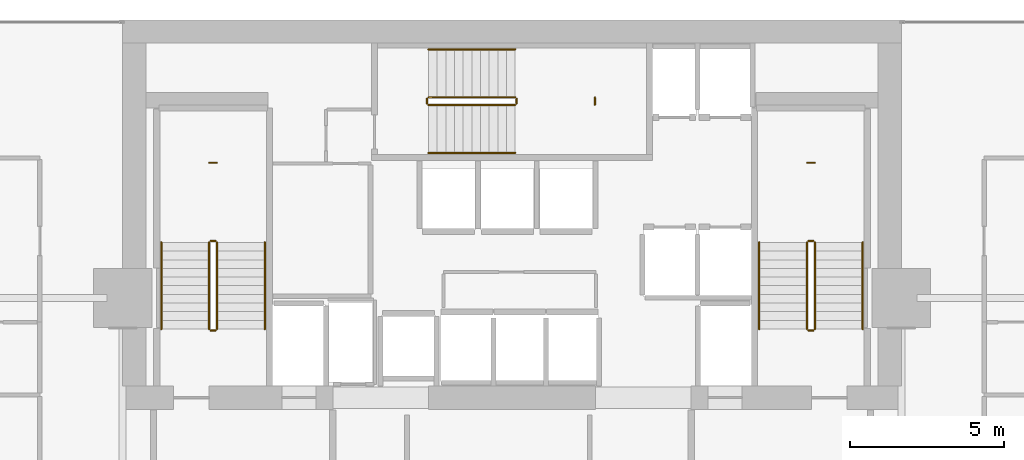
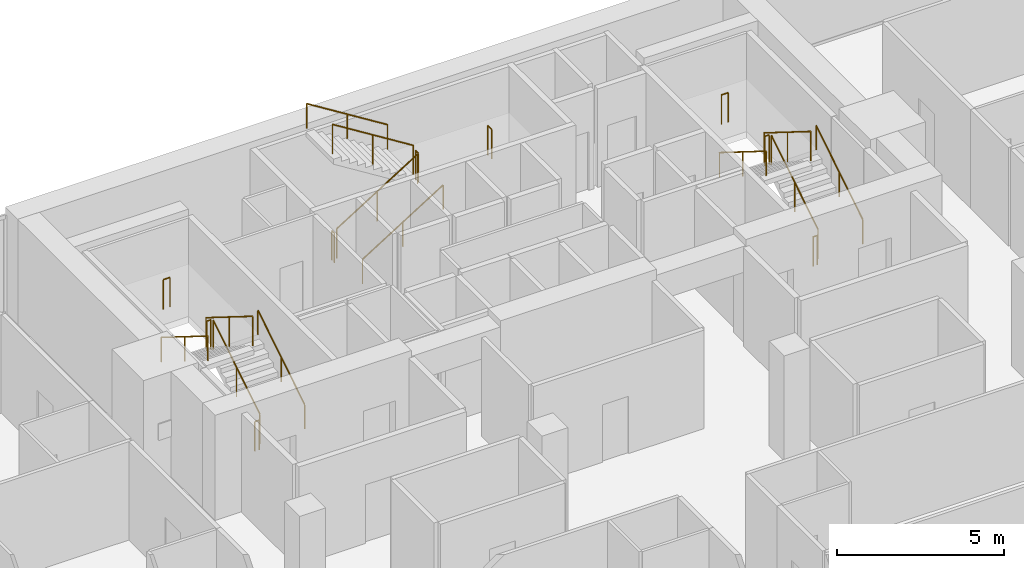
# One storey, part 33 of 33: 21 railings.
"""IFC4 building model written with IfcOpenShell, lengths in metres."""

from ifc_helpers import new_model, si_unit, direction, frame, origin, origin_2d, place, context, subcontext, project, spatial, circle, extrude, material, type_object, element, save


model = new_model("IFC4")

# Units and contexts
model_context = context("Model", 3, precision=1e-05, world=origin(), true_north=direction((0.0, 1.0)))
body_context = subcontext(model_context, "Body", "Model", "MODEL_VIEW")
ifc_project = project(units=[si_unit("LENGTHUNIT", "METRE"), si_unit("AREAUNIT", "SQUARE_METRE"), si_unit("VOLUMEUNIT", "CUBIC_METRE"), si_unit("PLANEANGLEUNIT", "RADIAN"), si_unit("MASSUNIT", "GRAM", prefix="KILO")], contexts=[model_context])

# Site, building, storey
site_placement = place(None, origin())
site = spatial("IfcSite", under=ifc_project, at=site_placement, CompositionType="ELEMENT")
building_placement = place(site_placement, origin())
building = spatial("IfcBuilding", under=site, at=building_placement, Name="Maruvema Waterfront Hotel and Observation Tower", CompositionType="ELEMENT")
storey_placement = place(building_placement, frame((0.0, 0.0, 138.949951171875)))
storey = spatial("IfcBuildingStorey", under=building, at=storey_placement, Name="L33", CompositionType="ELEMENT", Elevation=138.949951171875)

# Railings
ifc_material_1 = material(Name="Brushed stainless steel Grade 316", Category="steel")
railing_type_1 = type_object("IfcRailingType", Name="Ramp Continuous Wall Handrail 920 mm", PredefinedType="HANDRAIL", material=ifc_material_1)
railing_1_placement = place(storey_placement, frame((29.800048828125, 44.0, 0.175048828125)))
element("IfcRailing", 1, at=railing_1_placement, inside=storey, type_object=railing_type_1, Name="L33 ST-01 stair handrail 1", PredefinedType="HANDRAIL", context=body_context, shape_type="SweptSolid", body=[
    extrude(circle(Radius=0.02392578125, at=origin_2d()), frame((0.0, 0.0, 0.89599609375), z_axis=(0.0, 0.848002457836, 0.529992293815), x_axis=(-1.0, 0.0, 0.0)), (0.0, 0.0, 1.0), 3.302001953125),
    extrude(circle(Radius=0.02099609375, at=origin_2d()), origin(), (0.0, 0.0, 1.0), 0.871826171875),
    extrude(circle(Radius=0.02099609375, at=origin_2d()), frame((0.0, 1.39990234375, 0.875)), (0.0, 0.0, 1.0), 0.871826171875),
    extrude(circle(Radius=0.02099609375, at=origin_2d()), frame((0.0, 2.800048828125, 1.75)), (0.0, 0.0, 1.0), 0.871826171875),
])
railing_2_placement = place(storey_placement, frame((26.449951171875, 46.800048828125, 2.10009765625)))
element("IfcRailing", 2, at=railing_2_placement, inside=storey, type_object=railing_type_1, Name="L33 ST-01 stair handrail 2", PredefinedType="HANDRAIL", context=body_context, shape_type="SweptSolid", body=[
    extrude(circle(Radius=0.02392578125, at=origin_2d()), frame((0.0, 0.0, 0.89599609375), z_axis=(0.0, -0.848002457836, 0.529992293815), x_axis=(1.0, 0.0, 0.0)), (0.0, 0.0, 1.0), 3.302001953125),
    extrude(circle(Radius=0.02099609375, at=origin_2d()), origin(), (0.0, 0.0, 1.0), 0.871826171875),
    extrude(circle(Radius=0.02099609375, at=origin_2d()), frame((0.0, -1.39990234375, 0.875)), (0.0, 0.0, 1.0), 0.871826171875),
    extrude(circle(Radius=0.02099609375, at=origin_2d()), frame((0.0, -2.800048828125, 1.75)), (0.0, 0.0, 1.0), 0.871826171875),
])
railing_3_placement = place(storey_placement, frame((35.10009765625, 49.699951171875, 0.175048828125)))
element("IfcRailing", 3, at=railing_3_placement, inside=storey, type_object=railing_type_1, Name="L33 ST-02 stair handrail 1", PredefinedType="HANDRAIL", context=body_context, shape_type="SweptSolid", body=[
    extrude(circle(Radius=0.02392578125, at=origin_2d()), frame((0.0, 0.0, 0.89599609375), z_axis=(0.847981687118, 0.0, 0.530025526095), x_axis=(0.0, 1.0, 0.0)), (0.0, 0.0, 1.0), 3.3017578125),
    extrude(circle(Radius=0.02099609375, at=origin_2d()), origin(), (0.0, 0.0, 1.0), 0.871826171875),
    extrude(circle(Radius=0.02099609375, at=origin_2d()), frame((1.39990234375, 0.0, 0.875)), (0.0, 0.0, 1.0), 0.871826171875),
    extrude(circle(Radius=0.02099609375, at=origin_2d()), frame((2.7998046875, 0.0, 1.75)), (0.0, 0.0, 1.0), 0.871826171875),
])
railing_4_placement = place(storey_placement, frame((37.89990234375, 53.050048828125, 2.10009765625)))
element("IfcRailing", 4, at=railing_4_placement, inside=storey, type_object=railing_type_1, Name="L33 ST-02 stair handrail 2", PredefinedType="HANDRAIL", context=body_context, shape_type="SweptSolid", body=[
    extrude(circle(Radius=0.02392578125, at=origin_2d()), frame((0.0, 0.0, 0.89599609375), z_axis=(-0.847981687118, 0.0, 0.530025526095), x_axis=(0.0, -1.0, 0.0)), (0.0, 0.0, 1.0), 3.3017578125),
    extrude(circle(Radius=0.02099609375, at=origin_2d()), origin(), (0.0, 0.0, 1.0), 0.871826171875),
    extrude(circle(Radius=0.02099609375, at=origin_2d()), frame((-1.39990234375, 0.0, 0.875)), (0.0, 0.0, 1.0), 0.871826171875),
    extrude(circle(Radius=0.02099609375, at=origin_2d()), frame((-2.7998046875, 0.0, 1.75)), (0.0, 0.0, 1.0), 0.871826171875),
])
railing_5_placement = place(storey_placement, frame((49.14990234375, 44.0, 0.175048828125)))
element("IfcRailing", 5, at=railing_5_placement, inside=storey, type_object=railing_type_1, Name="L33 ST-03 stair handrail 1", PredefinedType="HANDRAIL", context=body_context, shape_type="SweptSolid", body=[
    extrude(circle(Radius=0.02392578125, at=origin_2d()), frame((0.0, 0.0, 0.89599609375), z_axis=(0.0, 0.848002457836, 0.529992293815), x_axis=(-1.0, 0.0, 0.0)), (0.0, 0.0, 1.0), 3.302001953125),
    extrude(circle(Radius=0.02099609375, at=origin_2d()), origin(), (0.0, 0.0, 1.0), 0.871826171875),
    extrude(circle(Radius=0.02099609375, at=origin_2d()), frame((0.0, 1.39990234375, 0.875)), (0.0, 0.0, 1.0), 0.871826171875),
    extrude(circle(Radius=0.02099609375, at=origin_2d()), frame((0.0, 2.800048828125, 1.75)), (0.0, 0.0, 1.0), 0.871826171875),
])
railing_6_placement = place(storey_placement, frame((45.800048828125, 46.800048828125, 2.10009765625)))
element("IfcRailing", 6, at=railing_6_placement, inside=storey, type_object=railing_type_1, Name="L33 ST-03 stair handrail 2", PredefinedType="HANDRAIL", context=body_context, shape_type="SweptSolid", body=[
    extrude(circle(Radius=0.02392578125, at=origin_2d()), frame((0.0, 0.0, 0.89599609375), z_axis=(0.0, -0.848002457836, 0.529992293815), x_axis=(1.0, 0.0, 0.0)), (0.0, 0.0, 1.0), 3.302001953125),
    extrude(circle(Radius=0.02099609375, at=origin_2d()), origin(), (0.0, 0.0, 1.0), 0.871826171875),
    extrude(circle(Radius=0.02099609375, at=origin_2d()), frame((0.0, -1.39990234375, 0.875)), (0.0, 0.0, 1.0), 0.871826171875),
    extrude(circle(Radius=0.02099609375, at=origin_2d()), frame((0.0, -2.800048828125, 1.75)), (0.0, 0.0, 1.0), 0.871826171875),
])
ifc_material_2 = material(Name="Brushed stainless steel Grade 316", Category="steel")
railing_type_2 = type_object("IfcRailingType", Name="Ramp and Terrace Guard Balustrade 1100 mm", PredefinedType="BALUSTRADE", material=ifc_material_2)
railing_7_placement = place(storey_placement, frame((28.25, 44.0, 0.175048828125)))
element("IfcRailing", 7, at=railing_7_placement, inside=storey, type_object=railing_type_2, Name="L33 ST-01 stair guard 1", PredefinedType="BALUSTRADE", context=body_context, shape_type="SweptSolid", body=[
    extrude(circle(Radius=0.02392578125, at=origin_2d()), frame((0.0, 0.0, 1.076171875), z_axis=(0.0, 0.848002457836, 0.529992293815), x_axis=(-1.0, 0.0, 0.0)), (0.0, 0.0, 1.0), 3.302001953125),
    extrude(circle(Radius=0.02099609375, at=origin_2d()), origin(), (0.0, 0.0, 1.0), 1.052001953125),
    extrude(circle(Radius=0.02099609375, at=origin_2d()), frame((0.0, 1.39990234375, 0.875)), (0.0, 0.0, 1.0), 1.052001953125),
    extrude(circle(Radius=0.02099609375, at=origin_2d()), frame((0.0, 2.800048828125, 1.75)), (0.0, 0.0, 1.0), 1.052001953125),
])
railing_8_placement = place(storey_placement, frame((28.199951171875, 46.85009765625, 1.925048828125)))
element("IfcRailing", 8, at=railing_8_placement, inside=storey, type_object=railing_type_2, Name="L33 ST-01 stair guard 2", PredefinedType="BALUSTRADE", context=body_context, shape_type="SweptSolid", body=[
    extrude(circle(Radius=0.02392578125, at=origin_2d()), frame((0.0, 0.0, 1.076171875), z_axis=(-1.0, 0.0, 0.0), x_axis=(0.0, -1.0, 0.0)), (0.0, 0.0, 1.0), 0.14990234375),
    extrude(circle(Radius=0.02099609375, at=origin_2d()), origin(), (0.0, 0.0, 1.0), 1.052001953125),
    extrude(circle(Radius=0.02099609375, at=origin_2d()), frame((-0.14990234375, 0.0, 0.0)), (0.0, 0.0, 1.0), 1.052001953125),
])
railing_9_placement = place(storey_placement, frame((28.0, 46.800048828125, 2.10009765625)))
element("IfcRailing", 9, at=railing_9_placement, inside=storey, type_object=railing_type_2, Name="L33 ST-01 stair guard 3", PredefinedType="BALUSTRADE", context=body_context, shape_type="SweptSolid", body=[
    extrude(circle(Radius=0.02392578125, at=origin_2d()), frame((0.0, 0.0, 1.076171875), z_axis=(0.0, -0.848002457836, 0.529992293815), x_axis=(1.0, 0.0, 0.0)), (0.0, 0.0, 1.0), 3.302001953125),
    extrude(circle(Radius=0.02099609375, at=origin_2d()), origin(), (0.0, 0.0, 1.0), 1.052001953125),
    extrude(circle(Radius=0.02099609375, at=origin_2d()), frame((0.0, -1.39990234375, 0.875)), (0.0, 0.0, 1.0), 1.052001953125),
    extrude(circle(Radius=0.02099609375, at=origin_2d()), frame((0.0, -2.800048828125, 1.75)), (0.0, 0.0, 1.0), 1.052001953125),
])
railing_10_placement = place(storey_placement, frame((28.199951171875, 43.949951171875, 0.0)))
element("IfcRailing", 10, at=railing_10_placement, inside=storey, type_object=railing_type_2, Name="L33 ST-01 stair guard 4", PredefinedType="BALUSTRADE", context=body_context, shape_type="SweptSolid", body=[
    extrude(circle(Radius=0.02392578125, at=origin_2d()), frame((0.0, 0.0, 1.076171875), z_axis=(-1.0, 0.0, 0.0), x_axis=(0.0, -1.0, 0.0)), (0.0, 0.0, 1.0), 0.14990234375),
    extrude(circle(Radius=0.02099609375, at=origin_2d()), origin(), (0.0, 0.0, 1.0), 1.052001953125),
    extrude(circle(Radius=0.02099609375, at=origin_2d()), frame((-0.14990234375, 0.0, 0.0)), (0.0, 0.0, 1.0), 1.052001953125),
])
railing_11_placement = place(storey_placement, frame((28.239990234375, 49.3798828125, 1.925048828125)))
element("IfcRailing", 11, at=railing_11_placement, inside=storey, type_object=railing_type_2, Name="L33 ST-01 Half-Landing Slot Guard", PredefinedType="BALUSTRADE", context=body_context, shape_type="SweptSolid", body=[
    extrude(circle(Radius=0.02392578125, at=origin_2d()), frame((0.0, 0.0, 1.076171875), z_axis=(-1.0, 0.0, 0.0), x_axis=(0.0, -1.0, 0.0)), (0.0, 0.0, 1.0), 0.22998046875),
    extrude(circle(Radius=0.02099609375, at=origin_2d()), origin(), (0.0, 0.0, 1.0), 1.052001953125),
    extrude(circle(Radius=0.02099609375, at=origin_2d()), frame((-0.22998046875, 0.0, 0.0)), (0.0, 0.0, 1.0), 1.052001953125),
])
railing_12_placement = place(storey_placement, frame((35.10009765625, 51.25, 0.175048828125)))
element("IfcRailing", 12, at=railing_12_placement, inside=storey, type_object=railing_type_2, Name="L33 ST-02 stair guard 1", PredefinedType="BALUSTRADE", context=body_context, shape_type="SweptSolid", body=[
    extrude(circle(Radius=0.02392578125, at=origin_2d()), frame((0.0, 0.0, 1.076171875), z_axis=(0.847981687118, 0.0, 0.530025526095), x_axis=(0.0, 1.0, 0.0)), (0.0, 0.0, 1.0), 3.3017578125),
    extrude(circle(Radius=0.02099609375, at=origin_2d()), origin(), (0.0, 0.0, 1.0), 1.052001953125),
    extrude(circle(Radius=0.02099609375, at=origin_2d()), frame((1.39990234375, 0.0, 0.875)), (0.0, 0.0, 1.0), 1.052001953125),
    extrude(circle(Radius=0.02099609375, at=origin_2d()), frame((2.7998046875, 0.0, 1.75)), (0.0, 0.0, 1.0), 1.052001953125),
])
railing_13_placement = place(storey_placement, frame((37.949951171875, 51.300048828125, 1.925048828125)))
element("IfcRailing", 13, at=railing_13_placement, inside=storey, type_object=railing_type_2, Name="L33 ST-02 stair guard 2", PredefinedType="BALUSTRADE", context=body_context, shape_type="SweptSolid", body=[
    extrude(circle(Radius=0.02392578125, at=origin_2d()), frame((0.0, 0.0, 1.076171875), z_axis=(0.0, 1.0, 0.0), x_axis=(-1.0, 0.0, 0.0)), (0.0, 0.0, 1.0), 0.14990234375),
    extrude(circle(Radius=0.02099609375, at=origin_2d()), origin(), (0.0, 0.0, 1.0), 1.052001953125),
    extrude(circle(Radius=0.02099609375, at=origin_2d()), frame((0.0, 0.14990234375, 0.0)), (0.0, 0.0, 1.0), 1.052001953125),
])
railing_14_placement = place(storey_placement, frame((37.89990234375, 51.5, 2.10009765625)))
element("IfcRailing", 14, at=railing_14_placement, inside=storey, type_object=railing_type_2, Name="L33 ST-02 stair guard 3", PredefinedType="BALUSTRADE", context=body_context, shape_type="SweptSolid", body=[
    extrude(circle(Radius=0.02392578125, at=origin_2d()), frame((0.0, 0.0, 1.076171875), z_axis=(-0.847981687118, 0.0, 0.530025526095), x_axis=(0.0, -1.0, 0.0)), (0.0, 0.0, 1.0), 3.3017578125),
    extrude(circle(Radius=0.02099609375, at=origin_2d()), origin(), (0.0, 0.0, 1.0), 1.052001953125),
    extrude(circle(Radius=0.02099609375, at=origin_2d()), frame((-1.39990234375, 0.0, 0.875)), (0.0, 0.0, 1.0), 1.052001953125),
    extrude(circle(Radius=0.02099609375, at=origin_2d()), frame((-2.7998046875, 0.0, 1.75)), (0.0, 0.0, 1.0), 1.052001953125),
])
railing_15_placement = place(storey_placement, frame((35.050048828125, 51.300048828125, 0.0)))
element("IfcRailing", 15, at=railing_15_placement, inside=storey, type_object=railing_type_2, Name="L33 ST-02 stair guard 4", PredefinedType="BALUSTRADE", context=body_context, shape_type="SweptSolid", body=[
    extrude(circle(Radius=0.02392578125, at=origin_2d()), frame((0.0, 0.0, 1.076171875), z_axis=(0.0, 1.0, 0.0), x_axis=(-1.0, 0.0, 0.0)), (0.0, 0.0, 1.0), 0.14990234375),
    extrude(circle(Radius=0.02099609375, at=origin_2d()), origin(), (0.0, 0.0, 1.0), 1.052001953125),
    extrude(circle(Radius=0.02099609375, at=origin_2d()), frame((0.0, 0.14990234375, 0.0)), (0.0, 0.0, 1.0), 1.052001953125),
])
railing_16_placement = place(storey_placement, frame((40.47998046875, 51.260009765625, 1.925048828125)))
element("IfcRailing", 16, at=railing_16_placement, inside=storey, type_object=railing_type_2, Name="L33 ST-02 Half-Landing Slot Guard", PredefinedType="BALUSTRADE", context=body_context, shape_type="SweptSolid", body=[
    extrude(circle(Radius=0.02392578125, at=origin_2d()), frame((0.0, 0.0, 1.076171875), z_axis=(0.0, 1.0, 0.0), x_axis=(-1.0, 0.0, 0.0)), (0.0, 0.0, 1.0), 0.22998046875),
    extrude(circle(Radius=0.02099609375, at=origin_2d()), origin(), (0.0, 0.0, 1.0), 1.052001953125),
    extrude(circle(Radius=0.02099609375, at=origin_2d()), frame((0.0, 0.22998046875, 0.0)), (0.0, 0.0, 1.0), 1.052001953125),
])
railing_17_placement = place(storey_placement, frame((47.60009765625, 44.0, 0.175048828125)))
element("IfcRailing", 17, at=railing_17_placement, inside=storey, type_object=railing_type_2, Name="L33 ST-03 stair guard 1", PredefinedType="BALUSTRADE", context=body_context, shape_type="SweptSolid", body=[
    extrude(circle(Radius=0.02392578125, at=origin_2d()), frame((0.0, 0.0, 1.076171875), z_axis=(0.0, 0.848002457836, 0.529992293815), x_axis=(-1.0, 0.0, 0.0)), (0.0, 0.0, 1.0), 3.302001953125),
    extrude(circle(Radius=0.02099609375, at=origin_2d()), origin(), (0.0, 0.0, 1.0), 1.052001953125),
    extrude(circle(Radius=0.02099609375, at=origin_2d()), frame((0.0, 1.39990234375, 0.875)), (0.0, 0.0, 1.0), 1.052001953125),
    extrude(circle(Radius=0.02099609375, at=origin_2d()), frame((0.0, 2.800048828125, 1.75)), (0.0, 0.0, 1.0), 1.052001953125),
])
railing_18_placement = place(storey_placement, frame((47.550048828125, 46.85009765625, 1.925048828125)))
element("IfcRailing", 18, at=railing_18_placement, inside=storey, type_object=railing_type_2, Name="L33 ST-03 stair guard 2", PredefinedType="BALUSTRADE", context=body_context, shape_type="SweptSolid", body=[
    extrude(circle(Radius=0.02392578125, at=origin_2d()), frame((0.0, 0.0, 1.076171875), z_axis=(-1.0, 0.0, 0.0), x_axis=(0.0, -1.0, 0.0)), (0.0, 0.0, 1.0), 0.150146484375),
    extrude(circle(Radius=0.02099609375, at=origin_2d()), origin(), (0.0, 0.0, 1.0), 1.052001953125),
    extrude(circle(Radius=0.02099609375, at=origin_2d()), frame((-0.150146484375, 0.0, 0.0)), (0.0, 0.0, 1.0), 1.052001953125),
])
railing_19_placement = place(storey_placement, frame((47.35009765625, 46.800048828125, 2.10009765625)))
element("IfcRailing", 19, at=railing_19_placement, inside=storey, type_object=railing_type_2, Name="L33 ST-03 stair guard 3", PredefinedType="BALUSTRADE", context=body_context, shape_type="SweptSolid", body=[
    extrude(circle(Radius=0.02392578125, at=origin_2d()), frame((0.0, 0.0, 1.076171875), z_axis=(0.0, -0.848002457836, 0.529992293815), x_axis=(1.0, 0.0, 0.0)), (0.0, 0.0, 1.0), 3.302001953125),
    extrude(circle(Radius=0.02099609375, at=origin_2d()), origin(), (0.0, 0.0, 1.0), 1.052001953125),
    extrude(circle(Radius=0.02099609375, at=origin_2d()), frame((0.0, -1.39990234375, 0.875)), (0.0, 0.0, 1.0), 1.052001953125),
    extrude(circle(Radius=0.02099609375, at=origin_2d()), frame((0.0, -2.800048828125, 1.75)), (0.0, 0.0, 1.0), 1.052001953125),
])
railing_20_placement = place(storey_placement, frame((47.550048828125, 43.949951171875, 0.0)))
element("IfcRailing", 20, at=railing_20_placement, inside=storey, type_object=railing_type_2, Name="L33 ST-03 stair guard 4", PredefinedType="BALUSTRADE", context=body_context, shape_type="SweptSolid", body=[
    extrude(circle(Radius=0.02392578125, at=origin_2d()), frame((0.0, 0.0, 1.076171875), z_axis=(-1.0, 0.0, 0.0), x_axis=(0.0, -1.0, 0.0)), (0.0, 0.0, 1.0), 0.150146484375),
    extrude(circle(Radius=0.02099609375, at=origin_2d()), origin(), (0.0, 0.0, 1.0), 1.052001953125),
    extrude(circle(Radius=0.02099609375, at=origin_2d()), frame((-0.150146484375, 0.0, 0.0)), (0.0, 0.0, 1.0), 1.052001953125),
])
railing_21_placement = place(storey_placement, frame((47.590087890625, 49.3798828125, 1.925048828125)))
element("IfcRailing", 21, at=railing_21_placement, inside=storey, type_object=railing_type_2, Name="L33 ST-03 Half-Landing Slot Guard", PredefinedType="BALUSTRADE", context=body_context, shape_type="SweptSolid", body=[
    extrude(circle(Radius=0.02392578125, at=origin_2d()), frame((0.0, 0.0, 1.076171875), z_axis=(-1.0, 0.0, 0.0), x_axis=(0.0, -1.0, 0.0)), (0.0, 0.0, 1.0), 0.22998046875),
    extrude(circle(Radius=0.02099609375, at=origin_2d()), origin(), (0.0, 0.0, 1.0), 1.052001953125),
    extrude(circle(Radius=0.02099609375, at=origin_2d()), frame((-0.22998046875, 0.0, 0.0)), (0.0, 0.0, 1.0), 1.052001953125),
])

save(model, "model.ifc")
